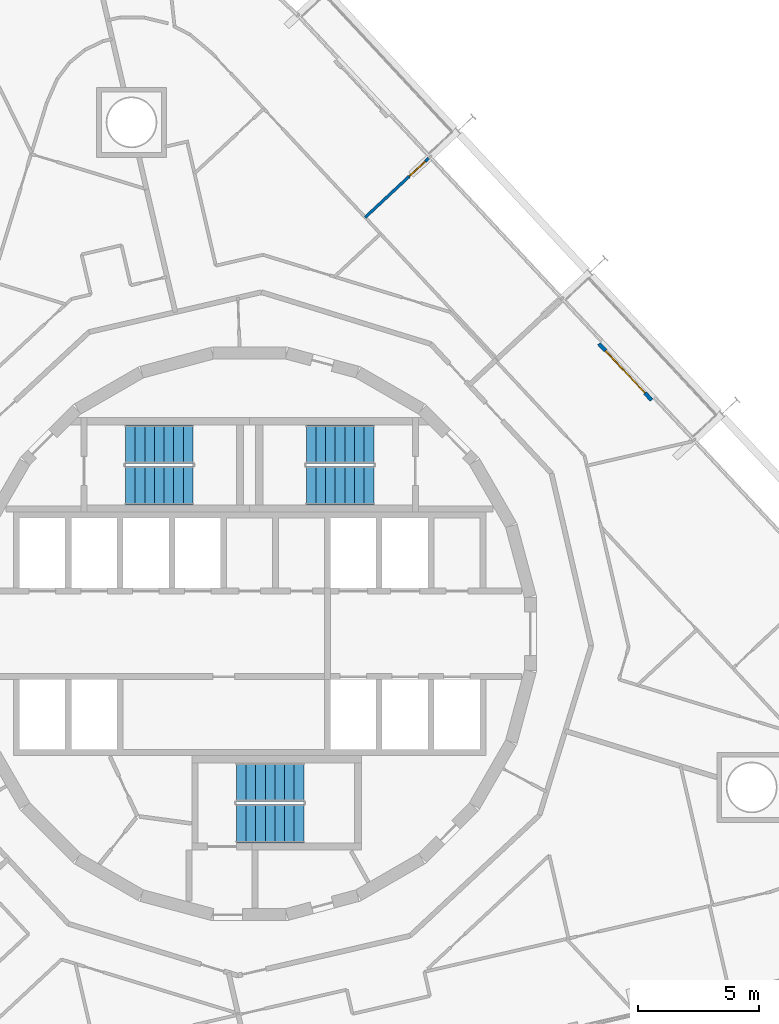
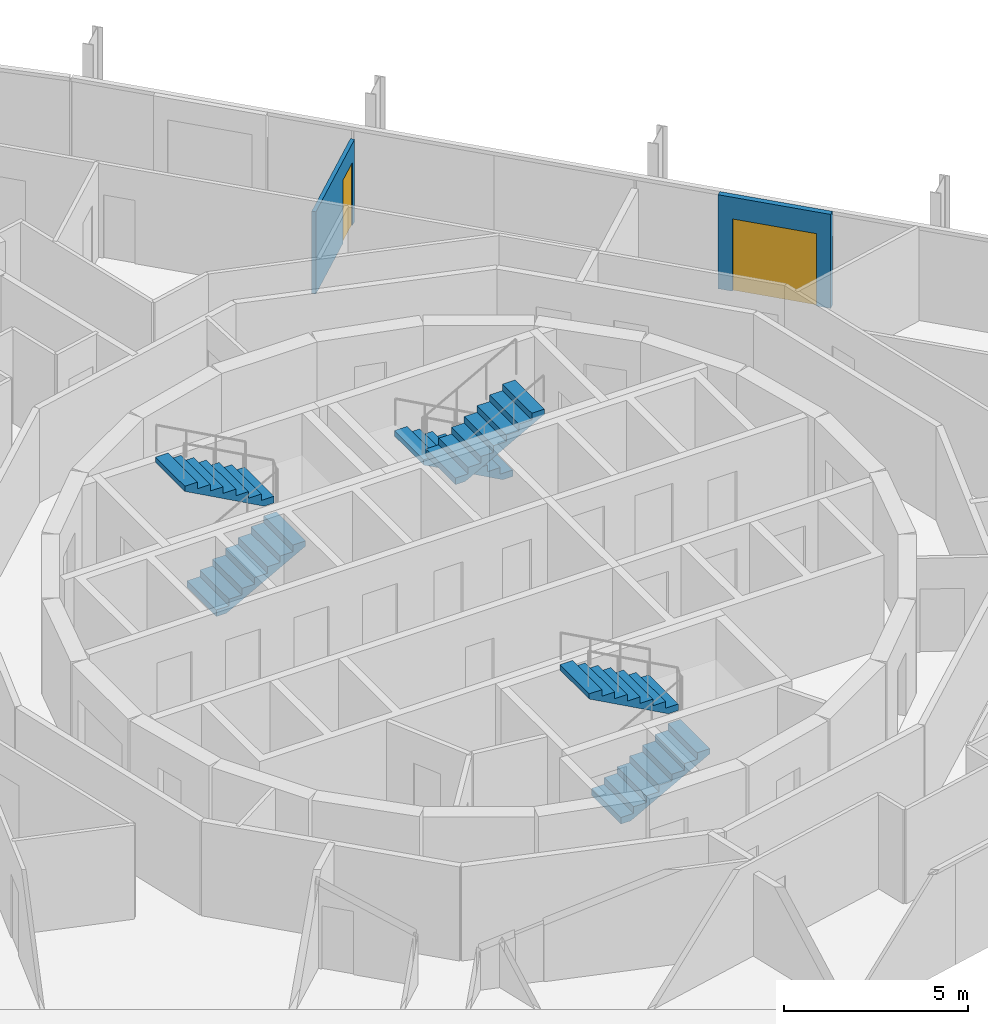
# One storey, part 17 of 18: 6 stair flights, 2 doors, 2 walls, 2 openings, 3 elements without a shape of their own.
"""IFC4 building model written with IfcOpenShell, lengths in metres."""

from ifc_helpers import new_model, si_unit, direction, frame, frame_2d, origin, place, context, subcontext, project, spatial, polyline, rectangle, outline, extrude, material, layer, layer_set, type_object, element, fill, aggregate, save


model = new_model("IFC4")

# Units and contexts
model_context = context("Model", 3, precision=1e-05, world=origin(), true_north=direction((0.0, 1.0)))
body_context = subcontext(model_context, "Body", "Model", "MODEL_VIEW")
ifc_project = project(units=[si_unit("LENGTHUNIT", "METRE"), si_unit("AREAUNIT", "SQUARE_METRE"), si_unit("VOLUMEUNIT", "CUBIC_METRE"), si_unit("PLANEANGLEUNIT", "RADIAN"), si_unit("MASSUNIT", "GRAM", prefix="KILO")], contexts=[model_context])

# Site, building, storey
site_placement = place(None, origin())
site = spatial("IfcSite", under=ifc_project, at=site_placement, CompositionType="ELEMENT")
building_placement = place(site_placement, origin())
building = spatial("IfcBuilding", under=site, at=building_placement, Name="Spindle Arch Residences", CompositionType="ELEMENT")
storey_placement = place(building_placement, frame((0.0, 0.0, 134.39990234375)))
storey = spatial("IfcBuildingStorey", under=building, at=storey_placement, Name="L33", CompositionType="ELEMENT", Elevation=134.39990234375)

# Wall, opening, door
ifc_material_1 = material(Name="Plasterboard on steel studs", Category="steel")
ifc_layer_1 = layer(ifc_material_1, 0.1201171875)
ifc_layer_set_1 = layer_set([ifc_layer_1], Name="Flat partition 120 under beam 2730")
wall_type_1 = type_object("IfcWallType", Name="Flat partition 120 under beam 2730", PredefinedType="PARTITIONING", material=ifc_layer_set_1)
wall_1_placement = place(storey_placement, frame((7.427490234375, 19.734375, 0.0), z_axis=(0.0, 0.0, 1.0), x_axis=(-0.73139345201, -0.681955730497, 0.0)))
wall_1 = element("IfcWall", 1, at=wall_1_placement, inside=storey, type_object=wall_type_1, Name="Flat partition R3C0-W048", PredefinedType="PARTITIONING", context=body_context, shape_type="SweptSolid", body=[
    extrude(rectangle(XDim=3.60009765625, YDim=0.1201171875, at=frame_2d((1.800048828125, 0.0))), origin(), (0.0, 0.0, 1.0), 2.72998046875),
])
opening_1_placement = place(wall_1_placement, frame((0.199951171875, 0.0, 0.0)))
opening_1 = element("IfcOpeningElement", 2, at=opening_1_placement, cuts=wall_1, Name="Opening R3C0-ID10", PredefinedType="OPENING", context=body_context, shape_type="SweptSolid", body=[
    extrude(rectangle(XDim=0.89990234375, YDim=2.10009765625, at=frame_2d((0.449951171875, 1.050048828125))), frame((0.0, 0.070068359375, 0.0), z_axis=(0.0, -1.0, 0.0), x_axis=(1.0, 0.0, 0.0)), (0.0, 0.0, 1.0), 0.14013671875),
])
ifc_material_2 = material(Name="Timber door set", Category="wood")
door_type_1 = type_object("IfcDoorType", Name="Room door 900x2100", OperationType="NOTDEFINED", PredefinedType="DOOR", material=ifc_material_2)
door_1_placement = place(opening_1_placement, origin())
door_1 = element("IfcDoor", 3, at=door_1_placement, inside=storey, type_object=door_type_1, Name="Room door R3C0-ID10", OperationType="SINGLE_SWING_LEFT", OverallHeight=2.10009765625, OverallWidth=0.89990234375, PredefinedType="DOOR", context=body_context, shape_type="SweptSolid", body=[
    extrude(rectangle(XDim=0.89990234375, YDim=2.10009765625, at=frame_2d((0.449951171875, 1.050048828125))), frame((0.0, 0.02490234375, 0.0), z_axis=(0.0, -1.0, 0.0), x_axis=(1.0, 0.0, 0.0)), (0.0, 0.0, 1.0), 0.050048828125),
])
fill(opening_1, door_1)

ifc_material_3 = material(Name="Non-combustible mineral wool insulated aluminium faced external wall (K0)", Category="aluminium")
ifc_layer_2 = layer(ifc_material_3, 0.159912109375)
ifc_layer_set_2 = layer_set([ifc_layer_2], Name="Insulated external wall panel 160")
wall_type_2 = type_object("IfcWallType", Name="Insulated external wall panel 160", PredefinedType="STANDARD", material=ifc_layer_set_2)
wall_2_placement = place(storey_placement, frame((16.673828125, 9.701416015625, 0.0), z_axis=(0.0, 0.0, 1.0), x_axis=(-0.681994703002, 0.731357111866, 0.0)))
wall_2 = element("IfcWall", 4, at=wall_2_placement, inside=storey, type_object=wall_type_2, Name="External wall L33 bay 7", PredefinedType="STANDARD", context=body_context, shape_type="SweptSolid", body=[
    extrude(rectangle(XDim=3.199951171875, YDim=0.159912109375, at=frame_2d((1.60009765625, 0.0))), origin(), (0.0, 0.0, 1.0), 3.1201171875),
])
opening_2_placement = place(wall_2_placement, frame((0.39990234375, 0.0, 0.0)))
opening_2 = element("IfcOpeningElement", 5, at=opening_2_placement, cuts=wall_2, Name="Opening BD07", PredefinedType="OPENING", context=body_context, shape_type="SweptSolid", body=[
    extrude(rectangle(XDim=2.39990234375, YDim=2.39990234375, at=frame_2d((1.199951171875, 1.199951171875))), frame((0.0, 0.08984375, 0.0), z_axis=(0.0, -1.0, 0.0), x_axis=(1.0, 0.0, 0.0)), (0.0, 0.0, 1.0), 0.179931640625),
])
ifc_material_4 = material(Name="Bronze aluminium frame, tinted double glazing", Category="aluminium")
door_type_2 = type_object("IfcDoorType", Name="Sliding glazed balcony door 2400x2400", OperationType="DOUBLE_DOOR_SLIDING", PredefinedType="DOOR", material=ifc_material_4)
door_2_placement = place(opening_2_placement, origin())
door_2 = element("IfcDoor", 6, at=door_2_placement, inside=storey, type_object=door_type_2, Name="Balcony door BD07", OperationType="DOUBLE_DOOR_SLIDING", OverallHeight=2.39990234375, OverallWidth=2.39990234375, PredefinedType="DOOR", context=body_context, shape_type="SweptSolid", body=[
    extrude(rectangle(XDim=2.39990234375, YDim=2.39990234375, at=frame_2d((1.199951171875, 1.199951171875))), frame((0.0, 0.02490234375, 0.0), z_axis=(0.0, -1.0, 0.0), x_axis=(1.0, 0.0, 0.0)), (0.0, 0.0, 1.0), 0.050048828125),
])
fill(opening_2, door_2)

# Stair, stair flights
ifc_material_5 = material(Name="Concrete C50/60", Category="concrete")
stair_type = type_object("IfcStairType", Name="Exit stair 16 risers", PredefinedType="HALF_TURN_STAIR", material=ifc_material_5)
stair_1_placement = place(storey_placement, origin())
stair_1 = element("IfcStair", 7, at=stair_1_placement, inside=storey, type_object=stair_type, Name="L33 Exit stair ST1", PredefinedType="HALF_TURN_STAIR")
ifc_material_6 = material(Name="Concrete C50/60", Category="concrete")
stair_flight_type = type_object("IfcStairFlightType", Name="Exit stair flight", PredefinedType="STRAIGHT", material=ifc_material_6)
stair_flight_1_placement = place(storey_placement, frame((5.14990234375, 7.8701171875, 0.0), z_axis=(0.0, 0.0, 1.0), x_axis=(-1.0, 0.0, 0.0)))
stair_flight_1 = element("IfcStairFlight", 8, at=stair_flight_1_placement, type_object=stair_flight_type, Name="ST1 flight 1", NumberOfRisers=8, NumberOfTreads=7, PredefinedType="STRAIGHT", RiserHeight=0.21875, TreadLength=0.4, context=body_context, shape_type="SweptSolid", body=[
    extrude(outline(polyline([(0.0, 0.0), (0.0, 0.21875), (0.39990234375, 0.21875), (0.39990234375, 0.4375), (0.800048828125, 0.4375), (0.800048828125, 0.65625), (1.199951171875, 0.65625), (1.199951171875, 0.875), (1.60009765625, 0.875), (1.60009765625, 1.09375), (2.0, 1.09375), (2.0, 1.3125), (2.39990234375, 1.3125), (2.39990234375, 1.53125), (2.800048828125, 1.53125), (2.800048828125, 1.75), (2.800048828125, 1.3603515625), (0.3125, 0.0), (0.0, 0.0)])), frame((0.0, 0.800048828125, 0.0), z_axis=(0.0, -1.0, 0.0), x_axis=(1.0, 0.0, 0.0)), (0.0, 0.0, 1.0), 1.60009765625),
])
stair_flight_2_placement = place(storey_placement, frame((2.35009765625, 6.14990234375, 1.75), z_axis=(0.0, 0.0, 1.0), x_axis=(1.0, 0.0, 0.0)))
stair_flight_2 = element("IfcStairFlight", 9, at=stair_flight_2_placement, type_object=stair_flight_type, Name="ST1 flight 2", NumberOfRisers=8, NumberOfTreads=7, PredefinedType="STRAIGHT", RiserHeight=0.21875, TreadLength=0.4, context=body_context, shape_type="SweptSolid", body=[
    extrude(outline(polyline([(0.0, 0.0), (0.0, 0.21875), (0.39990234375, 0.21875), (0.39990234375, 0.4375), (0.800048828125, 0.4375), (0.800048828125, 0.65625), (1.199951171875, 0.65625), (1.199951171875, 0.875), (1.60009765625, 0.875), (1.60009765625, 1.09375), (2.0, 1.09375), (2.0, 1.3125), (2.39990234375, 1.3125), (2.39990234375, 1.53125), (2.800048828125, 1.53125), (2.800048828125, 1.75), (2.800048828125, 1.3603515625), (0.3125, 0.0), (0.0, 0.0)])), frame((0.0, 0.800048828125, 0.0), z_axis=(0.0, -1.0, 0.0), x_axis=(1.0, 0.0, 0.0)), (0.0, 0.0, 1.0), 1.60009765625),
])
aggregate(stair_1, [stair_flight_1, stair_flight_2])

stair_2_placement = place(storey_placement, origin())
stair_2 = element("IfcStair", 10, at=stair_2_placement, inside=storey, type_object=stair_type, Name="L33 Exit stair ST2", PredefinedType="HALF_TURN_STAIR")
stair_flight_3_placement = place(storey_placement, frame((-5.14990234375, 6.14990234375, 0.0), z_axis=(0.0, 0.0, 1.0), x_axis=(1.0, 0.0, 0.0)))
stair_flight_3 = element("IfcStairFlight", 11, at=stair_flight_3_placement, type_object=stair_flight_type, Name="ST2 flight 1", NumberOfRisers=8, NumberOfTreads=7, PredefinedType="STRAIGHT", RiserHeight=0.21875, TreadLength=0.4, context=body_context, shape_type="SweptSolid", body=[
    extrude(outline(polyline([(0.0, 0.0), (0.0, 0.21875), (0.39990234375, 0.21875), (0.39990234375, 0.4375), (0.800048828125, 0.4375), (0.800048828125, 0.65625), (1.199951171875, 0.65625), (1.199951171875, 0.875), (1.60009765625, 0.875), (1.60009765625, 1.09375), (2.0, 1.09375), (2.0, 1.3125), (2.39990234375, 1.3125), (2.39990234375, 1.53125), (2.800048828125, 1.53125), (2.800048828125, 1.75), (2.800048828125, 1.3603515625), (0.3125, 0.0), (0.0, 0.0)])), frame((0.0, 0.800048828125, 0.0), z_axis=(0.0, -1.0, 0.0), x_axis=(1.0, 0.0, 0.0)), (0.0, 0.0, 1.0), 1.60009765625),
])
stair_flight_4_placement = place(storey_placement, frame((-2.35009765625, 7.8701171875, 1.75), z_axis=(0.0, 0.0, 1.0), x_axis=(-1.0, 0.0, 0.0)))
stair_flight_4 = element("IfcStairFlight", 12, at=stair_flight_4_placement, type_object=stair_flight_type, Name="ST2 flight 2", NumberOfRisers=8, NumberOfTreads=7, PredefinedType="STRAIGHT", RiserHeight=0.21875, TreadLength=0.4, context=body_context, shape_type="SweptSolid", body=[
    extrude(outline(polyline([(0.0, 0.0), (0.0, 0.21875), (0.39990234375, 0.21875), (0.39990234375, 0.4375), (0.800048828125, 0.4375), (0.800048828125, 0.65625), (1.199951171875, 0.65625), (1.199951171875, 0.875), (1.60009765625, 0.875), (1.60009765625, 1.09375), (2.0, 1.09375), (2.0, 1.3125), (2.39990234375, 1.3125), (2.39990234375, 1.53125), (2.800048828125, 1.53125), (2.800048828125, 1.75), (2.800048828125, 1.3603515625), (0.3125, 0.0), (0.0, 0.0)])), frame((0.0, 0.800048828125, 0.0), z_axis=(0.0, -1.0, 0.0), x_axis=(1.0, 0.0, 0.0)), (0.0, 0.0, 1.0), 1.60009765625),
])
aggregate(stair_2, [stair_flight_3, stair_flight_4])

stair_3_placement = place(storey_placement, origin())
stair_3 = element("IfcStair", 13, at=stair_3_placement, inside=storey, type_object=stair_type, Name="L33 Exit stair ST3", PredefinedType="HALF_TURN_STAIR")
stair_flight_5_placement = place(storey_placement, frame((-0.550048828125, -7.8701171875, 0.0), z_axis=(0.0, 0.0, 1.0), x_axis=(1.0, 0.0, 0.0)))
stair_flight_5 = element("IfcStairFlight", 14, at=stair_flight_5_placement, type_object=stair_flight_type, Name="ST3 flight 1", NumberOfRisers=8, NumberOfTreads=7, PredefinedType="STRAIGHT", RiserHeight=0.21875, TreadLength=0.4, context=body_context, shape_type="SweptSolid", body=[
    extrude(outline(polyline([(0.0, 0.0), (0.0, 0.21875), (0.39990234375, 0.21875), (0.39990234375, 0.4375), (0.800048828125, 0.4375), (0.800048828125, 0.65625), (1.199951171875, 0.65625), (1.199951171875, 0.875), (1.60009765625, 0.875), (1.60009765625, 1.09375), (2.0, 1.09375), (2.0, 1.3125), (2.39990234375, 1.3125), (2.39990234375, 1.53125), (2.800048828125, 1.53125), (2.800048828125, 1.75), (2.800048828125, 1.3603515625), (0.3125, 0.0), (0.0, 0.0)])), frame((0.0, 0.800048828125, 0.0), z_axis=(0.0, -1.0, 0.0), x_axis=(1.0, 0.0, 0.0)), (0.0, 0.0, 1.0), 1.60009765625),
])
stair_flight_6_placement = place(storey_placement, frame((2.25, -6.14990234375, 1.75), z_axis=(0.0, 0.0, 1.0), x_axis=(-1.0, 0.0, 0.0)))
stair_flight_6 = element("IfcStairFlight", 15, at=stair_flight_6_placement, type_object=stair_flight_type, Name="ST3 flight 2", NumberOfRisers=8, NumberOfTreads=7, PredefinedType="STRAIGHT", RiserHeight=0.21875, TreadLength=0.4, context=body_context, shape_type="SweptSolid", body=[
    extrude(outline(polyline([(0.0, 0.0), (0.0, 0.21875), (0.39990234375, 0.21875), (0.39990234375, 0.4375), (0.800048828125, 0.4375), (0.800048828125, 0.65625), (1.199951171875, 0.65625), (1.199951171875, 0.875), (1.60009765625, 0.875), (1.60009765625, 1.09375), (2.0, 1.09375), (2.0, 1.3125), (2.39990234375, 1.3125), (2.39990234375, 1.53125), (2.800048828125, 1.53125), (2.800048828125, 1.75), (2.800048828125, 1.3603515625), (0.3125, 0.0), (0.0, 0.0)])), frame((0.0, 0.800048828125, 0.0), z_axis=(0.0, -1.0, 0.0), x_axis=(1.0, 0.0, 0.0)), (0.0, 0.0, 1.0), 1.60009765625),
])
aggregate(stair_3, [stair_flight_5, stair_flight_6])

save(model, "model.ifc")
